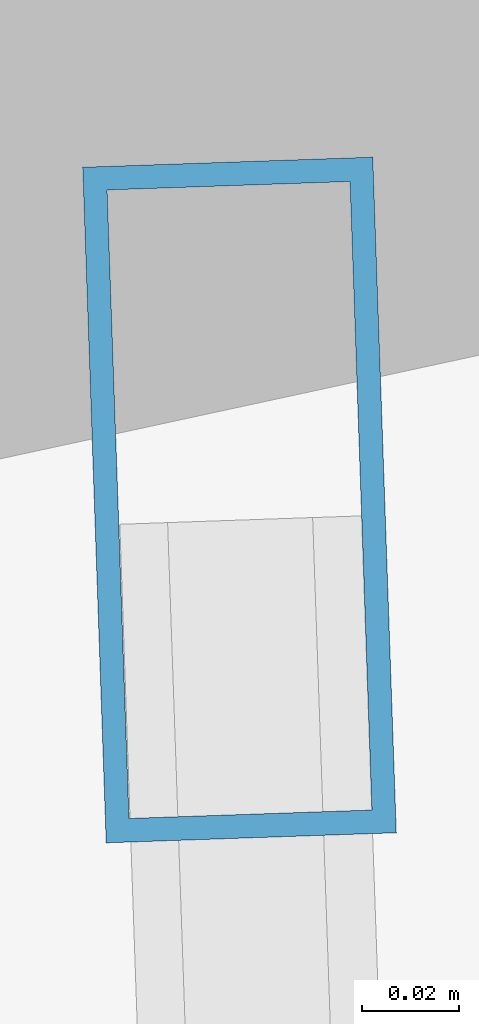
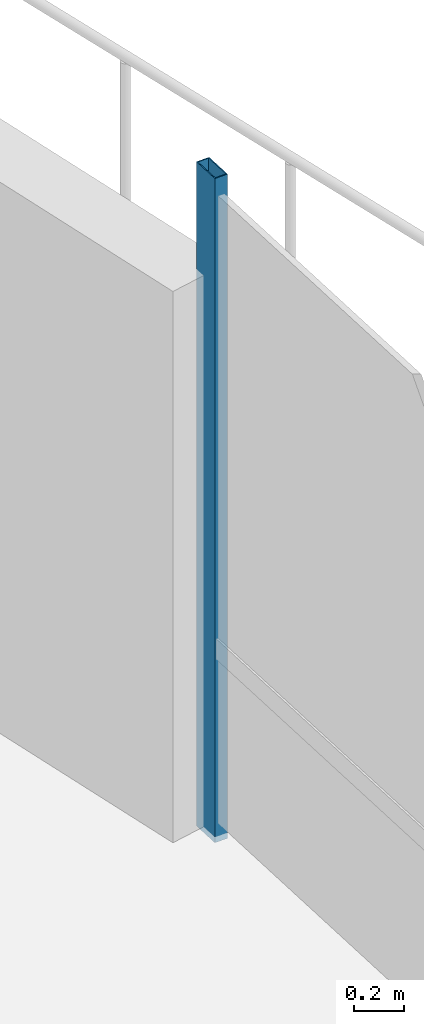
# One storey, part 28 of 35: 1 member, 1 element without a shape of its own.
"""IFC4 building model written with IfcOpenShell, lengths in metres."""

from ifc_helpers import new_model, si_unit, direction, frame, origin, origin_2d, place, context, subcontext, project, spatial, hollow_rectangle, extrude, source, transform, mapped, material, layer, layer_set, material_profile, profile_set, type_object, element, aggregate, save


model = new_model("IFC4")

# Units and contexts
model_context = context("Model", 3, precision=1e-05, world=origin(), true_north=direction((0.0, 1.0)))
body_context = subcontext(model_context, "Body", "Model", "MODEL_VIEW")
ifc_project = project(units=[si_unit("LENGTHUNIT", "METRE"), si_unit("AREAUNIT", "SQUARE_METRE"), si_unit("VOLUMEUNIT", "CUBIC_METRE"), si_unit("PLANEANGLEUNIT", "RADIAN"), si_unit("MASSUNIT", "GRAM", prefix="KILO"), si_unit("THERMODYNAMICTEMPERATUREUNIT", "KELVIN")], contexts=[model_context])

# Site, building, storey
site_placement = place(None, origin())
site = spatial("IfcSite", under=ifc_project, at=site_placement, CompositionType="ELEMENT")
building_placement = place(site_placement, origin())
building = spatial("IfcBuilding", under=site, at=building_placement, Name="Kethvar Cultural Tower", CompositionType="ELEMENT")
storey_placement = place(building_placement, frame((0.0, 0.0, 179.89990234375)))
storey = spatial("IfcBuildingStorey", under=building, at=storey_placement, Name="L46", CompositionType="ELEMENT", Elevation=179.89990234375)

# Curtain wall, member
ifc_material = material(Name="Aluminium 6063-T6", Category="aluminium")
ifc_layer = layer(ifc_material, 0.179931640625, Name="Aluminium 6063-T6", Category="aluminium")
ifc_layer_set = layer_set([ifc_layer], Name="Aluminium 6063-T6 (180 mm)")
curtain_wall_type = type_object("IfcCurtainWallType", Name="CW-SYS-04-Z34", PredefinedType="NOTDEFINED", material=ifc_layer_set)
curtain_wall_placement = place(storey_placement, origin())
curtain_wall = element("IfcCurtainWall", 1, at=curtain_wall_placement, inside=storey, type_object=curtain_wall_type, Name="L46 Curtain Wall Run 06", PredefinedType="NOTDEFINED")
ifc_material_profile = material_profile(ifc_material, hollow_rectangle(XDim=0.06005859375, YDim=0.139892578125, WallThickness=0.0048828125, at=origin_2d()), Name="Aluminium 6063-T6 — RHS140x60x5")
ifc_profile_set = profile_set([ifc_material_profile], Name="Aluminium 6063-T6 — RHS140x60x5")
member_type = type_object("IfcMemberType", Name="CW-SYS-04-Z34-MUL", PredefinedType="MULLION", material=ifc_profile_set)
shared_shape = source(origin(), body_context, "Body", "SweptSolid", [
    extrude(hollow_rectangle(XDim=0.06005859375, YDim=0.139892578125, WallThickness=0.0048828125, at=origin_2d()), origin(), (0.0, 0.0, 1.0), 3.260009765625),
])
member_placement = place(storey_placement, frame((70.721435546875, 37.1904296875, 0.0), z_axis=(0.0, 0.0, 1.0), x_axis=(-0.999395690166, -0.034759955079, 0.0)))
member = element("IfcMember", 2, at=member_placement, type_object=member_type, Name="CW-L46-R06 Mullion 5", PredefinedType="MULLION", context=body_context, shape_type="MappedRepresentation", body=[
    mapped(shared_shape, transform((0.0, 0.0, 0.0), scale=1.0)),
])
aggregate(curtain_wall, [member])

save(model, "model.ifc")
